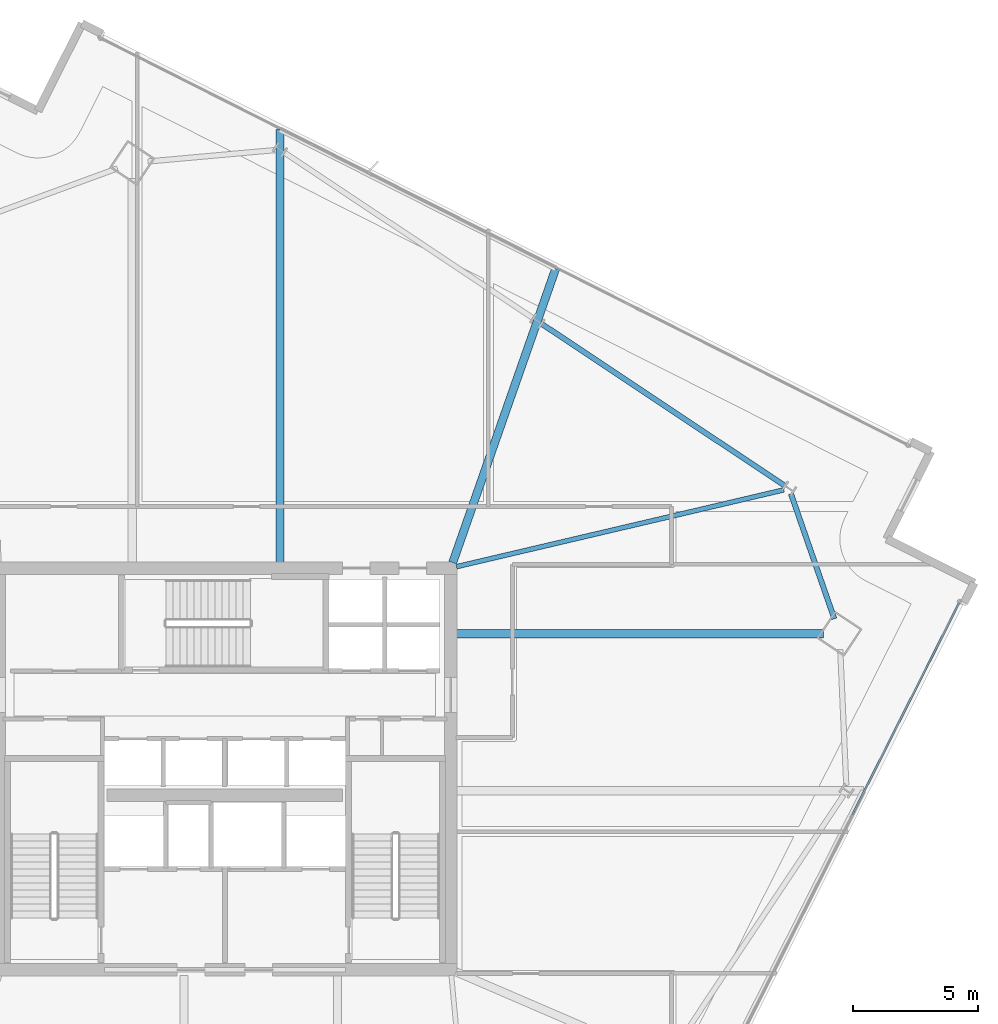
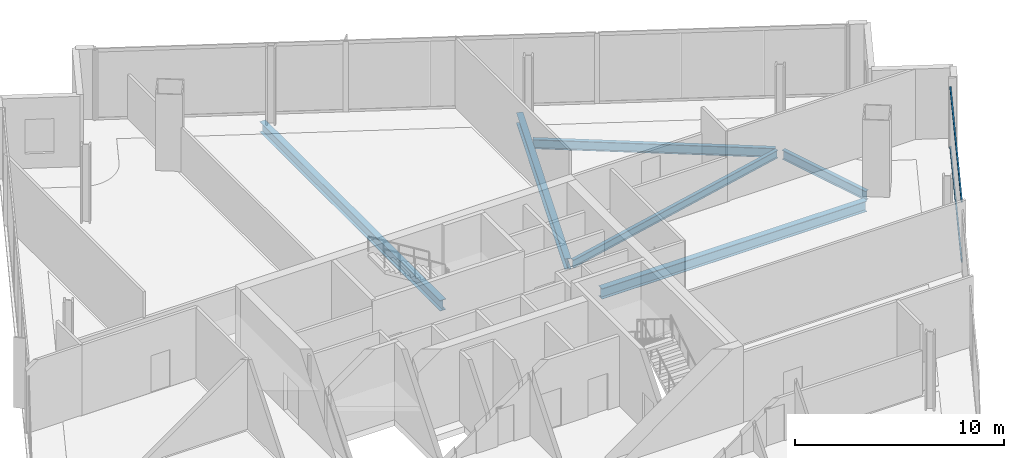
# One storey, part 16 of 27: 6 beams, 2 members, 1 element without a shape of its own.
"""IFC4 building model written with IfcOpenShell, lengths in metres."""

from ifc_helpers import new_model, si_unit, direction, frame, origin, origin_2d, place, context, subcontext, project, spatial, hollow_rectangle, i_section, extrude, material, material_profile, profile_set, type_object, element, aggregate, save


model = new_model("IFC4")

# Units and contexts
model_context = context("Model", 3, precision=1e-05, world=origin(), true_north=direction((0.0, 1.0)))
body_context = subcontext(model_context, "Body", "Model", "MODEL_VIEW")
ifc_project = project(units=[si_unit("LENGTHUNIT", "METRE"), si_unit("AREAUNIT", "SQUARE_METRE"), si_unit("VOLUMEUNIT", "CUBIC_METRE"), si_unit("PLANEANGLEUNIT", "RADIAN"), si_unit("MASSUNIT", "GRAM", prefix="KILO")], contexts=[model_context])

# Site, building, storey
site_placement = place(None, origin())
site = spatial("IfcSite", under=ifc_project, at=site_placement, CompositionType="ELEMENT")
building_placement = place(site_placement, origin())
building = spatial("IfcBuilding", under=site, at=building_placement, Name="Haldenkirk Collegiate Tower", CompositionType="ELEMENT")
storey_placement = place(building_placement, frame((0.0, 0.0, 239.699951171875)))
storey = spatial("IfcBuildingStorey", under=building, at=storey_placement, Name="L60", CompositionType="ELEMENT", Elevation=239.699951171875)

# Beams
ifc_material_1 = material(Name="Steel ASTM A992 Grade 50", Category="steel")
ifc_material_profile_1 = material_profile(ifc_material_1, i_section(OverallWidth=0.324951171875, OverallDepth=0.615966796875, WebThickness=0.013916015625, FlangeThickness=0.021484375, at=origin_2d()), Name="W24X117")
ifc_profile_set_1 = profile_set([ifc_material_profile_1], Name="Steel ASTM A992 Grade 50")
beam_type_1 = type_object("IfcBeamType", Name="BM-GIRDER-W24X117", PredefinedType="BEAM", material=ifc_profile_set_1)
beam_1_placement = place(storey_placement, frame((59.856201171875, 31.3837890625, -0.657958984375), z_axis=(-1.0, 0.0, 0.0), x_axis=(0.0, -1.0, 0.0)))
element("IfcBeam", 1, at=beam_1_placement, inside=storey, type_object=beam_type_1, Name="L60 primary floor girder 02", PredefinedType="BEAM", context=body_context, shape_type="SweptSolid", body=[
    extrude(i_section(OverallWidth=0.324951171875, OverallDepth=0.615966796875, WebThickness=0.013916015625, FlangeThickness=0.021484375, at=origin_2d()), origin(), (0.0, 0.0, 1.0), 14.626220703125),
])
beam_2_placement = place(storey_placement, frame((49.17919921875, 45.93115234375, -0.657958984375), z_axis=(-0.330589605374, -0.943774609119, 0.0), x_axis=(0.943774609119, -0.330589605374, 0.0)))
element("IfcBeam", 2, at=beam_2_placement, inside=storey, type_object=beam_type_1, Name="L60 primary floor girder 09", PredefinedType="BEAM", context=body_context, shape_type="SweptSolid", body=[
    extrude(i_section(OverallWidth=0.324951171875, OverallDepth=0.615966796875, WebThickness=0.013916015625, FlangeThickness=0.021484375, at=origin_2d()), origin(), (0.0, 0.0, 1.0), 12.411865234375),
])
beam_3_placement = place(storey_placement, frame((38.192626953125, 51.46875, -0.657958984375), z_axis=(0.0, -1.0, 0.0), x_axis=(1.0, 0.0, 0.0)))
element("IfcBeam", 3, at=beam_3_placement, inside=storey, type_object=beam_type_1, Name="L60 primary floor girder 10", PredefinedType="BEAM", context=body_context, shape_type="SweptSolid", body=[
    extrude(i_section(OverallWidth=0.324951171875, OverallDepth=0.615966796875, WebThickness=0.013916015625, FlangeThickness=0.021484375, at=origin_2d()), origin(), (0.0, 0.0, 1.0), 17.23876953125),
])
ifc_material_profile_2 = material_profile(ifc_material_1, i_section(OverallWidth=0.18994140625, OverallDepth=0.45703125, WebThickness=0.009033203125, FlangeThickness=0.014404296875, at=origin_2d()), Name="W18X50")
ifc_profile_set_2 = profile_set([ifc_material_profile_2], Name="Steel ASTM A992 Grade 50")
beam_type_2 = type_object("IfcBeamType", Name="BM-JOIST-W18X50", PredefinedType="JOIST", material=ifc_profile_set_2)
beam_4_placement = place(storey_placement, frame((58.26953125, 37.114013671875, -0.578369140625), z_axis=(-0.973550809881, -0.228470612069, 0.0), x_axis=(0.228470612069, -0.973550809881, 0.0)))
element("IfcBeam", 4, at=beam_4_placement, inside=storey, type_object=beam_type_2, Name="L60 composite floor joist 08", PredefinedType="JOIST", context=body_context, shape_type="SweptSolid", body=[
    extrude(i_section(OverallWidth=0.18994140625, OverallDepth=0.45703125, WebThickness=0.009033203125, FlangeThickness=0.014404296875, at=origin_2d()), origin(), (0.0, 0.0, 1.0), 13.400146484375),
])
ifc_material_profile_3 = material_profile(ifc_material_1, i_section(OverallWidth=0.2099609375, OverallDepth=0.537109375, WebThickness=0.010986328125, FlangeThickness=0.017333984375, at=origin_2d()), Name="W21X68")
ifc_profile_set_3 = profile_set([ifc_material_profile_3], Name="Steel ASTM A992 Grade 50")
beam_type_3 = type_object("IfcBeamType", Name="BM-SPANDREL-W21X68", PredefinedType="SPANDREL", material=ifc_profile_set_3)
beam_5_placement = place(storey_placement, frame((60.27978515625, 31.97900390625, -0.618408203125), z_axis=(-0.327807295579, 0.944744609387, 0.0), x_axis=(-0.944744609387, -0.327807295579, 0.0)))
element("IfcBeam", 5, at=beam_5_placement, inside=storey, type_object=beam_type_3, Name="L60 perimeter spandrel beam 05", PredefinedType="SPANDREL", context=body_context, shape_type="SweptSolid", body=[
    extrude(i_section(OverallWidth=0.2099609375, OverallDepth=0.537109375, WebThickness=0.010986328125, FlangeThickness=0.017333984375, at=origin_2d()), origin(), (0.0, 0.0, 1.0), 5.270751953125),
])
beam_6_placement = place(storey_placement, frame((58.30029296875, 37.28369140625, -0.618408203125), z_axis=(-0.832431545828, 0.554127892738, 0.0), x_axis=(-0.554127892738, -0.832431545828, 0.0)))
element("IfcBeam", 6, at=beam_6_placement, inside=storey, type_object=beam_type_3, Name="L60 perimeter spandrel beam 06", PredefinedType="SPANDREL", context=body_context, shape_type="SweptSolid", body=[
    extrude(i_section(OverallWidth=0.2099609375, OverallDepth=0.537109375, WebThickness=0.010986328125, FlangeThickness=0.017333984375, at=origin_2d()), origin(), (0.0, 0.0, 1.0), 11.619140625),
])

# Curtain wall, members
ifc_material_2 = material(Name="Anodised architectural bronze aluminium", Category="aluminium")
curtain_wall_type = type_object("IfcCurtainWallType", Name="CW-SYS2-CONCAVE", PredefinedType="USERDEFINED", material=ifc_material_2)
curtain_wall_placement = place(storey_placement, origin())
curtain_wall = element("IfcCurtainWall", 7, at=curtain_wall_placement, inside=storey, type_object=curtain_wall_type, Name="L60 South concave recessed bronze-anodised curtain wall", ObjectType="UNITISED CURTAIN WALL", PredefinedType="USERDEFINED")
ifc_material_profile_4 = material_profile(ifc_material_2, hollow_rectangle(XDim=0.074951171875, YDim=0.159912109375, WallThickness=0.0048828125, at=origin_2d()), Name="CW-TRN-02")
ifc_profile_set_4 = profile_set([ifc_material_profile_4], Name="Anodised architectural bronze aluminium")
member_type = type_object("IfcMemberType", Name="CW-TRN-02", PredefinedType="USERDEFINED", material=ifc_profile_set_4)
member_1_placement = place(storey_placement, frame((65.253662109375, 32.615966796875, 0.03759765625), z_axis=(-0.450100989788, -0.892977658731, 0.0), x_axis=(0.892977658731, -0.450100989788, 0.0)))
member_1 = element("IfcMember", 8, at=member_1_placement, type_object=member_type, Name="CW-02 transom 1.1", ObjectType="TRANSOM", PredefinedType="USERDEFINED", context=body_context, shape_type="SweptSolid", body=[
    extrude(hollow_rectangle(XDim=0.074951171875, YDim=0.159912109375, WallThickness=0.0048828125, at=origin_2d()), origin(), (0.0, 0.0, 1.0), 9.46240234375),
])
member_2_placement = place(storey_placement, frame((65.253662109375, 32.615966796875, 3.5205078125), z_axis=(-0.450100989788, -0.892977658731, 0.0), x_axis=(0.892977658731, -0.450100989788, 0.0)))
member_2 = element("IfcMember", 9, at=member_2_placement, type_object=member_type, Name="CW-02 transom 1.2", ObjectType="TRANSOM", PredefinedType="USERDEFINED", context=body_context, shape_type="SweptSolid", body=[
    extrude(hollow_rectangle(XDim=0.074951171875, YDim=0.159912109375, WallThickness=0.0048828125, at=origin_2d()), origin(), (0.0, 0.0, 1.0), 9.46240234375),
])
aggregate(curtain_wall, [member_1, member_2])

save(model, "model.ifc")
